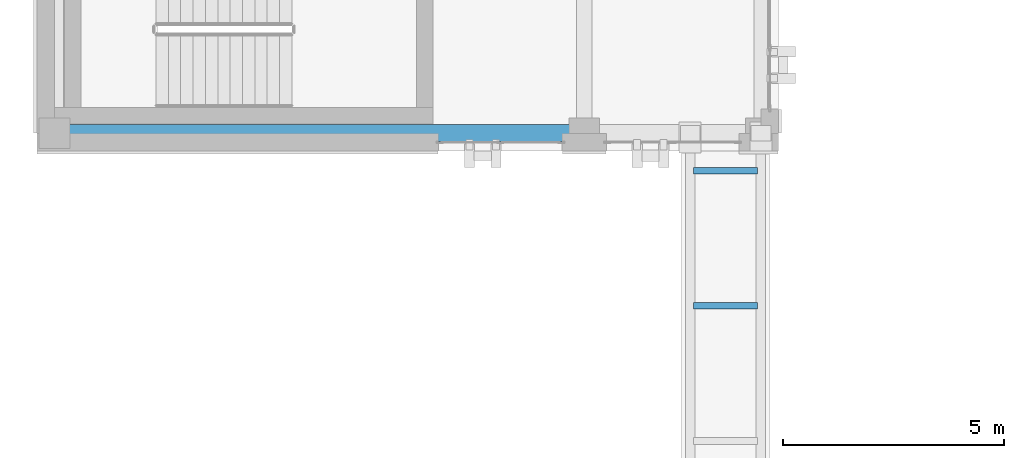
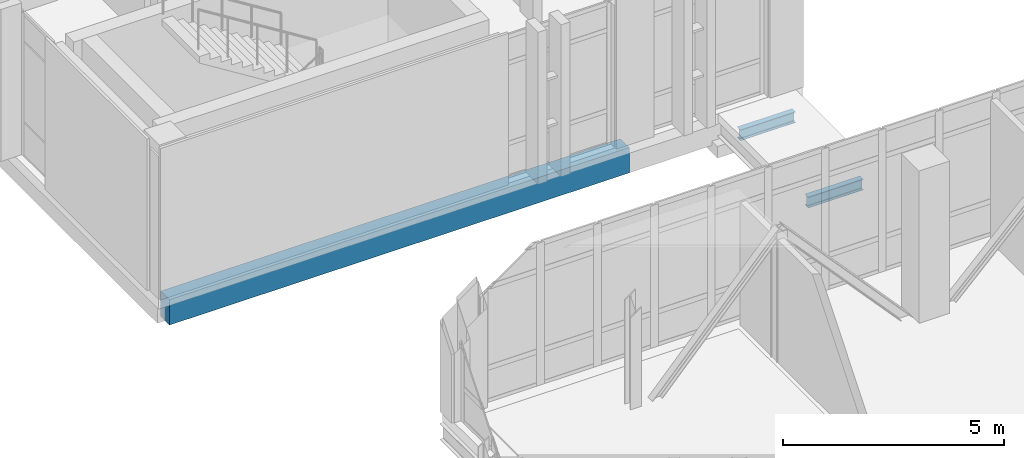
# One storey, part 28 of 158: 3 beams.
"""IFC4 building model written with IfcOpenShell, lengths in metres."""

from ifc_helpers import new_model, si_unit, direction, frame, origin, origin_2d, place, context, subcontext, project, spatial, rectangle, i_section, extrude, material, material_profile, profile_set, type_object, element, save


model = new_model("IFC4")

# Units and contexts
model_context = context("Model", 3, precision=1e-05, world=origin(), true_north=direction((0.0, 1.0)))
body_context = subcontext(model_context, "Body", "Model", "MODEL_VIEW")
ifc_project = project(units=[si_unit("LENGTHUNIT", "METRE"), si_unit("AREAUNIT", "SQUARE_METRE"), si_unit("VOLUMEUNIT", "CUBIC_METRE"), si_unit("PLANEANGLEUNIT", "RADIAN"), si_unit("MASSUNIT", "GRAM", prefix="KILO")], contexts=[model_context])

# Site, building, storey
site_placement = place(None, origin())
site = spatial("IfcSite", under=ifc_project, at=site_placement, CompositionType="ELEMENT")
building_placement = place(site_placement, origin())
building = spatial("IfcBuilding", under=site, at=building_placement, Name="Qalavern Law Courts", CompositionType="ELEMENT")
storey_placement = place(building_placement, frame((0.0, 0.0, 18.60009765625)))
storey = spatial("IfcBuildingStorey", under=building, at=storey_placement, Name="L04", CompositionType="ELEMENT", Elevation=18.60009765625)

# Beams
ifc_material_1 = material(Name="Steel S355", Category="steel")
ifc_material_profile_1 = material_profile(ifc_material_1, i_section(OverallWidth=0.14990234375, OverallDepth=0.300048828125, WebThickness=0.007080078125, FlangeThickness=0.0107421875, FilletRadius=0.014892578125, at=origin_2d()), Name="IPE 300")
ifc_profile_set_1 = profile_set([ifc_material_profile_1], Name="Steel S355")
beam_type_1 = type_object("IfcBeamType", Name="STR-JST-IPE300", PredefinedType="JOIST", material=ifc_profile_set_1)
for number, where, z_axis, x_axis, name in (
    (1, (16.8798828125, 37.510009765625, -0.378173828125), (1.0, 0.0, 0.0), (0.0, 1.0, 0.0), "Bridge BR-V1-V3 cross beam 2 L04"),
    (2, (16.8798828125, 40.570068359375, -0.378173828125), (1.0, 0.0, 0.0), (0.0, 1.0, 0.0), "Bridge BR-V1-V3 cross beam 3 L04"),
):
    element("IfcBeam", number, at=place(storey_placement, frame(where, z_axis=z_axis, x_axis=x_axis)), inside=storey, type_object=beam_type_1, Name=name, PredefinedType="JOIST", context=body_context, shape_type="SweptSolid", body=[
        extrude(i_section(OverallWidth=0.14990234375, OverallDepth=0.300048828125, WebThickness=0.007080078125, FlangeThickness=0.0107421875, FilletRadius=0.014892578125, at=origin_2d()), origin(), (0.0, 0.0, 1.0), 1.440185546875),
    ])
ifc_material_2 = material(Name="Concrete C40/50", Category="concrete")
ifc_material_profile_2 = material_profile(ifc_material_2, rectangle(XDim=0.39990234375, YDim=0.699951171875, at=origin_2d()), Name="RC 400x700")
ifc_profile_set_2 = profile_set([ifc_material_profile_2], Name="Concrete C40/50")
beam_type_2 = type_object("IfcBeamType", Name="STR-SP-RC400x700", PredefinedType="SPANDREL", material=ifc_profile_set_2)
beam_placement = place(storey_placement, frame((2.39990234375, 41.419921875, -0.630126953125), z_axis=(1.0, 0.0, 0.0), x_axis=(0.0, 1.0, 0.0)))
element("IfcBeam", 3, at=beam_placement, inside=storey, type_object=beam_type_2, Name="V3 X-beam 1-1 L04", PredefinedType="SPANDREL", context=body_context, shape_type="SweptSolid", body=[
    extrude(rectangle(XDim=0.39990234375, YDim=0.699951171875, at=origin_2d()), origin(), (0.0, 0.0, 1.0), 12.0),
])

save(model, "model.ifc")
